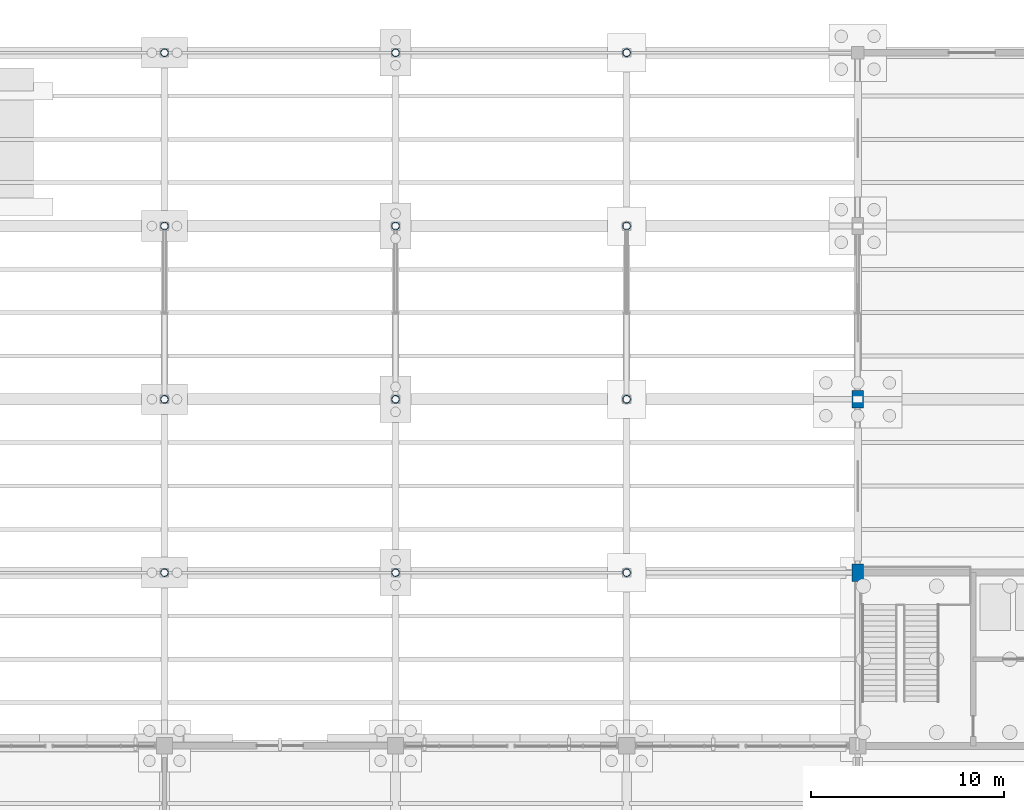
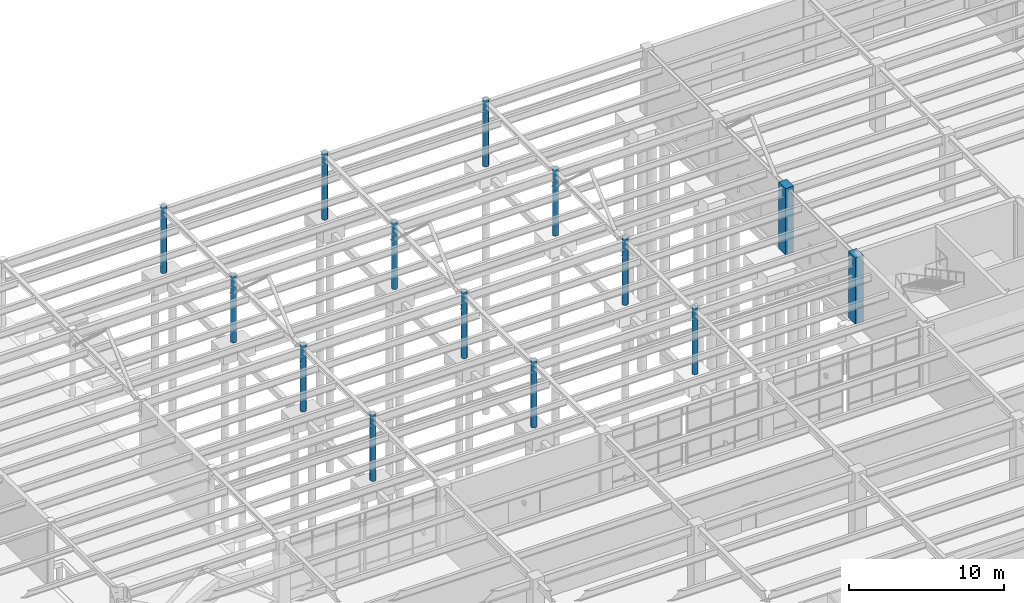
# One storey, part 18 of 85: 14 columns.
"""IFC4 building model written with IfcOpenShell, lengths in metres."""

from ifc_helpers import new_model, si_unit, direction, frame, origin, origin_2d, place, context, subcontext, project, spatial, rectangle, hollow_circle, extrude, material, material_profile, profile_set, type_object, element, save


model = new_model("IFC4")

# Units and contexts
model_context = context("Model", 3, precision=1e-05, world=origin(), true_north=direction((0.0, 1.0)))
body_context = subcontext(model_context, "Body", "Model", "MODEL_VIEW")
ifc_project = project(units=[si_unit("LENGTHUNIT", "METRE"), si_unit("AREAUNIT", "SQUARE_METRE"), si_unit("VOLUMEUNIT", "CUBIC_METRE"), si_unit("PLANEANGLEUNIT", "RADIAN"), si_unit("MASSUNIT", "GRAM", prefix="KILO")], contexts=[model_context])

# Site, building, storey
site_placement = place(None, origin())
site = spatial("IfcSite", under=ifc_project, at=site_placement, CompositionType="ELEMENT")
building_placement = place(site_placement, origin())
building = spatial("IfcBuilding", under=site, at=building_placement, Name="Keelwater Ferry Terminal", CompositionType="ELEMENT")
storey_placement = place(building_placement, origin())
storey = spatial("IfcBuildingStorey", under=building, at=storey_placement, Name="L00", CompositionType="ELEMENT", Elevation=0.0)

# Columns
ifc_material_1 = material(Name="Steel S355", Category="steel")
ifc_material_profile_1 = material_profile(ifc_material_1, hollow_circle(Radius=0.203125, WallThickness=0.01611328125, at=origin_2d()), Name="CHS 406.4x16")
ifc_profile_set_1 = profile_set([ifc_material_profile_1], Name="Steel S355")
column_type_1 = type_object("IfcColumnType", Name="C9E CHS 406.4x16", PredefinedType="COLUMN", material=ifc_profile_set_1)
for number, where, z_axis, x_axis, name in (
    (1, (72.0, 99.0, 0.0), (0.0, 0.0, 1.0), (1.0, 0.0, 0.0), "Column CL-L00-0135"),
    (2, (72.0, 108.0, 0.0), (0.0, 0.0, 1.0), (1.0, 0.0, 0.0), "Column CL-L00-0136"),
    (3, (72.0, 117.0, 0.0), (0.0, 0.0, 1.0), (1.0, 0.0, 0.0), "Column CL-L00-0137"),
    (4, (72.0, 126.0, 0.0), (0.0, 0.0, 1.0), (1.0, 0.0, 0.0), "Column CL-L00-0138"),
    (5, (84.0, 99.0, 0.0), (0.0, 0.0, 1.0), (1.0, 0.0, 0.0), "Column CL-L00-0148"),
    (6, (84.0, 108.0, 0.0), (0.0, 0.0, 1.0), (1.0, 0.0, 0.0), "Column CL-L00-0149"),
    (7, (84.0, 117.0, 0.0), (0.0, 0.0, 1.0), (1.0, 0.0, 0.0), "Column CL-L00-0150"),
    (8, (84.0, 126.0, 0.0), (0.0, 0.0, 1.0), (1.0, 0.0, 0.0), "Column CL-L00-0151"),
    (9, (96.0, 99.0, 0.0), (0.0, 0.0, 1.0), (1.0, 0.0, 0.0), "Column CL-L00-0161"),
    (10, (96.0, 108.0, 0.0), (0.0, 0.0, 1.0), (1.0, 0.0, 0.0), "Column CL-L00-0162"),
    (11, (96.0, 117.0, 0.0), (0.0, 0.0, 1.0), (1.0, 0.0, 0.0), "Column CL-L00-0163"),
    (12, (96.0, 126.0, 0.0), (0.0, 0.0, 1.0), (1.0, 0.0, 0.0), "Column CL-L00-0164"),
):
    element("IfcColumn", number, at=place(storey_placement, frame(where, z_axis=z_axis, x_axis=x_axis)), inside=storey, type_object=column_type_1, Name=name, PredefinedType="COLUMN", context=body_context, shape_type="SweptSolid", body=[
        extrude(hollow_circle(Radius=0.203125, WallThickness=0.01611328125, at=origin_2d()), origin(), (0.0, 0.0, 1.0), 5.239990234375),
    ])
ifc_material_2 = material(Name="Concrete C45/55", Category="concrete")
ifc_material_profile_2 = material_profile(ifc_material_2, rectangle(XDim=0.60009765625, YDim=0.89990234375, at=origin_2d()), Name="RC 900x600")
ifc_profile_set_2 = profile_set([ifc_material_profile_2], Name="Concrete C45/55")
column_type_2 = type_object("IfcColumnType", Name="PL1E RC 900x600", PredefinedType="PILASTER", material=ifc_profile_set_2)
for number, where, z_axis, x_axis, name in (
    (13, (108.0, 99.0, 0.0), (0.0, 0.0, 1.0), (1.0, 0.0, 0.0), "Column CL-L00-0177"),
    (14, (108.0, 108.0, 0.0), (0.0, 0.0, 1.0), (1.0, 0.0, 0.0), "Column CL-L00-0183"),
):
    element("IfcColumn", number, at=place(storey_placement, frame(where, z_axis=z_axis, x_axis=x_axis)), inside=storey, type_object=column_type_2, Name=name, PredefinedType="PILASTER", context=body_context, shape_type="SweptSolid", body=[
        extrude(rectangle(XDim=0.60009765625, YDim=0.89990234375, at=origin_2d()), origin(), (0.0, 0.0, 1.0), 5.239990234375),
    ])

save(model, "model.ifc")
